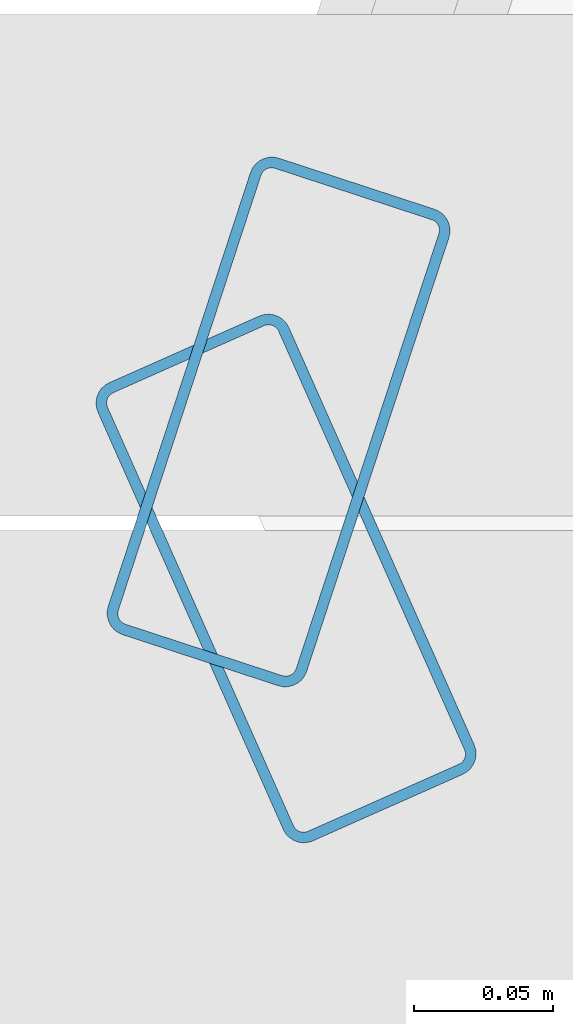
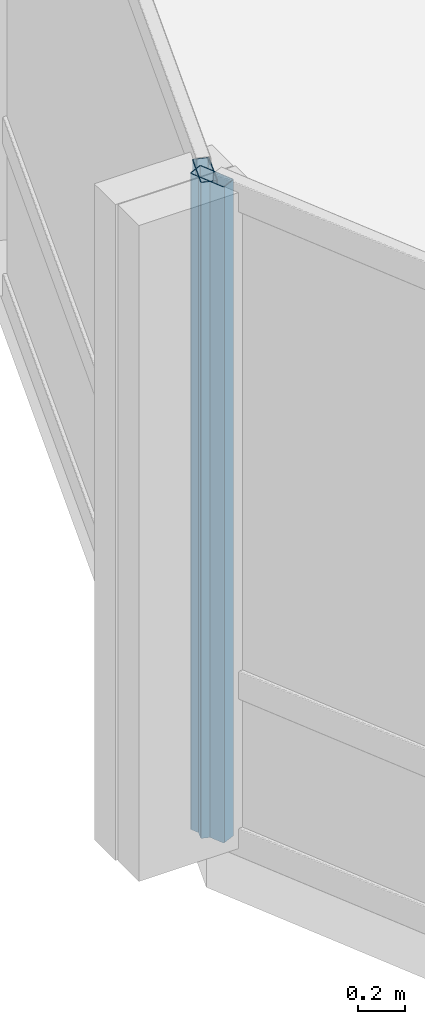
# One storey, part 6 of 34: 2 members, 2 elements without a shape of their own.
"""IFC4 building model written with IfcOpenShell, lengths in metres."""

from ifc_helpers import new_model, si_unit, direction, frame, origin, origin_2d, place, context, subcontext, project, spatial, hollow_rectangle, extrude, material, layer, layer_set, material_profile, profile_set, type_object, element, aggregate, save


model = new_model("IFC4")

# Units and contexts
model_context = context("Model", 3, precision=1e-05, world=origin(), true_north=direction((0.0, 1.0)))
body_context = subcontext(model_context, "Body", "Model", "MODEL_VIEW")
ifc_project = project(units=[si_unit("LENGTHUNIT", "METRE"), si_unit("AREAUNIT", "SQUARE_METRE"), si_unit("VOLUMEUNIT", "CUBIC_METRE"), si_unit("PLANEANGLEUNIT", "RADIAN"), si_unit("MASSUNIT", "GRAM", prefix="KILO")], contexts=[model_context])

# Site, building, storey
site_placement = place(None, origin())
site = spatial("IfcSite", under=ifc_project, at=site_placement, CompositionType="ELEMENT")
building_placement = place(site_placement, origin())
building = spatial("IfcBuilding", under=site, at=building_placement, Name="Solvaryn Broadcast Tower", CompositionType="ELEMENT")
storey_placement = place(building_placement, frame((0.0, 0.0, 69.300048828125)))
storey = spatial("IfcBuildingStorey", under=building, at=storey_placement, Name="L16", CompositionType="ELEMENT", Elevation=69.300048828125)

# Curtain wall, member
ifc_material_1 = material(Name="Aluminium and Terracotta Unitised Curtain Wall", Category="masonry")
ifc_layer_1 = layer(ifc_material_1, 0.199951171875)
ifc_layer_set_1 = layer_set([ifc_layer_1], Name="CW-SYS2-LOWMID")
curtain_wall_type_1 = type_object("IfcCurtainWallType", Name="CW-SYS2-LOWMID", PredefinedType="NOTDEFINED", material=ifc_layer_set_1)
curtain_wall_1_placement = place(storey_placement, origin())
curtain_wall_1 = element("IfcCurtainWall", 1, at=curtain_wall_1_placement, inside=storey, type_object=curtain_wall_type_1, Name="L16 Curtain Wall DR1", PredefinedType="NOTDEFINED")
ifc_material_2 = material(Name="Anodised Aluminium 6063-T6", Category="aluminium")
ifc_material_profile = material_profile(ifc_material_2, hollow_rectangle(XDim=0.074951171875, YDim=0.179931640625, WallThickness=0.00390625, InnerFilletRadius=0.00390625, OuterFilletRadius=0.008056640625, at=origin_2d()))
ifc_profile_set = profile_set([ifc_material_profile], Name="Anodised Aluminium 6063-T6")
member_type = type_object("IfcMemberType", Name="CW-MUL-180", PredefinedType="MULLION", material=ifc_profile_set)
member_1_placement = place(storey_placement, frame((-0.45458984375, 26.588623046875, 0.0), z_axis=(0.0, 0.0, 1.0), x_axis=(0.950215318429, -0.311594044587, 0.0)))
member_1 = element("IfcMember", 2, at=member_1_placement, type_object=member_type, Name="CWS2 mullion 2", PredefinedType="MULLION", context=body_context, shape_type="SweptSolid", body=[
    extrude(hollow_rectangle(XDim=0.074951171875, YDim=0.179931640625, WallThickness=0.00390625, InnerFilletRadius=0.00390625, OuterFilletRadius=0.008056640625, at=origin_2d()), origin(), (0.0, 0.0, 1.0), 3.419921875),
])
aggregate(curtain_wall_1, [member_1])

ifc_material_3 = material(Name="Aluminium and Terracotta Unitised Curtain Wall", Category="masonry")
ifc_layer_2 = layer(ifc_material_3, 0.239990234375)
ifc_layer_set_2 = layer_set([ifc_layer_2], Name="CW-SYS3-BAYBOX")
curtain_wall_type_2 = type_object("IfcCurtainWallType", Name="CW-SYS3-BAYBOX", PredefinedType="NOTDEFINED", material=ifc_layer_set_2)
curtain_wall_2_placement = place(storey_placement, origin())
curtain_wall_2 = element("IfcCurtainWall", 3, at=curtain_wall_2_placement, inside=storey, type_object=curtain_wall_type_2, Name="L16 Curtain Wall DR2", PredefinedType="NOTDEFINED")
member_2_placement = place(storey_placement, frame((-0.451904296875, 26.532470703125, 0.0), z_axis=(0.0, 0.0, 1.0), x_axis=(0.913918257271, 0.405898286554, 0.0)))
member_2 = element("IfcMember", 4, at=member_2_placement, type_object=member_type, Name="CWS3 mullion 1", PredefinedType="MULLION", context=body_context, shape_type="SweptSolid", body=[
    extrude(hollow_rectangle(XDim=0.074951171875, YDim=0.179931640625, WallThickness=0.00390625, InnerFilletRadius=0.00390625, OuterFilletRadius=0.008056640625, at=origin_2d()), origin(), (0.0, 0.0, 1.0), 3.419921875),
])
aggregate(curtain_wall_2, [member_2])

save(model, "model.ifc")
